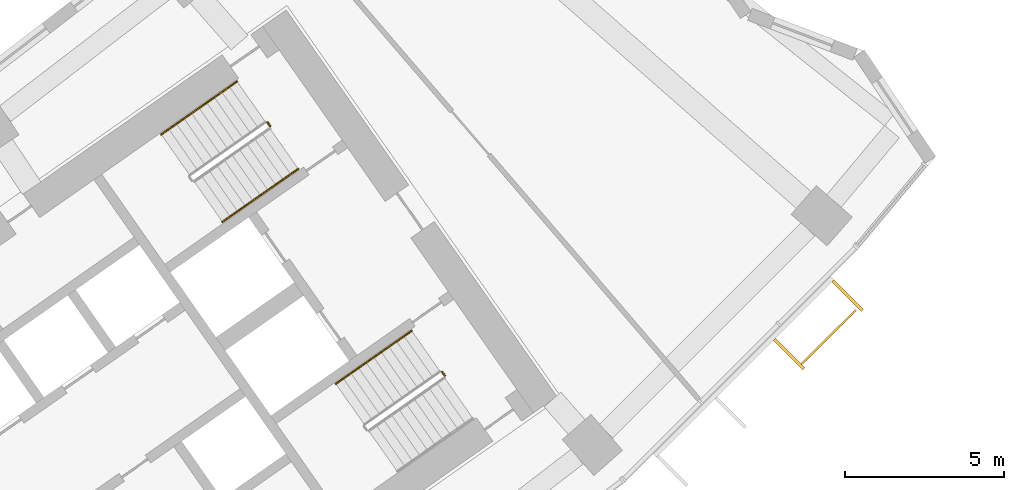
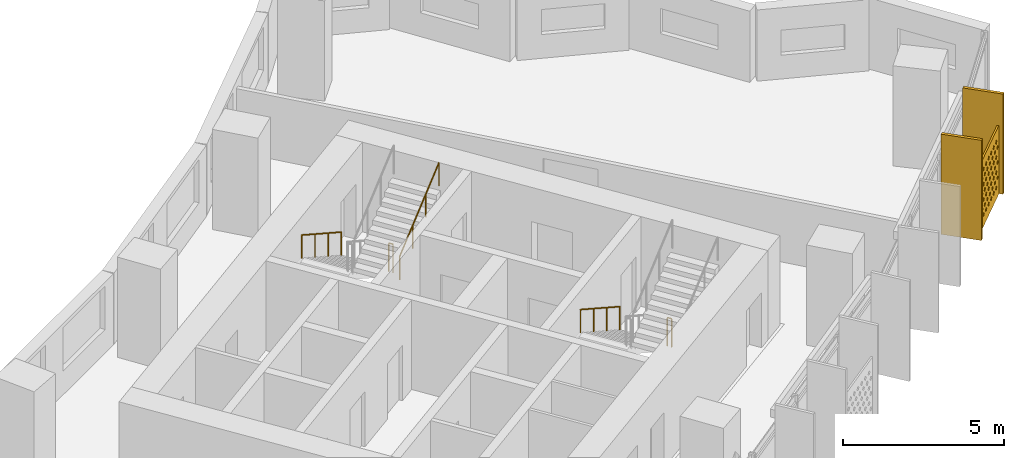
# One storey, part 28 of 28: 5 railings, 3 shading devices.
"""IFC4 building model written with IfcOpenShell, lengths in metres."""

from ifc_helpers import new_model, si_unit, direction, frame, origin, origin_2d, place, context, subcontext, project, spatial, polyline, rectangle, circle, outline, extrude, material, material_profile, profile_set, type_object, element, save


model = new_model("IFC4")

# Units and contexts
model_context = context("Model", 3, precision=1e-05, world=origin(), true_north=direction((0.0, 1.0)))
body_context = subcontext(model_context, "Body", "Model", "MODEL_VIEW")
ifc_project = project(units=[si_unit("LENGTHUNIT", "METRE"), si_unit("AREAUNIT", "SQUARE_METRE"), si_unit("VOLUMEUNIT", "CUBIC_METRE"), si_unit("PLANEANGLEUNIT", "RADIAN"), si_unit("MASSUNIT", "GRAM", prefix="KILO")], contexts=[model_context])

# Site, building, storey
site_placement = place(None, origin())
site = spatial("IfcSite", under=ifc_project, at=site_placement, CompositionType="ELEMENT")
building_placement = place(site_placement, origin())
building = spatial("IfcBuilding", under=site, at=building_placement, Name="Qamariyya Broadcast Tower", CompositionType="ELEMENT")
storey_placement = place(building_placement, frame((0.0, 0.0, 140.5)))
storey = spatial("IfcBuildingStorey", under=building, at=storey_placement, Name="L32", CompositionType="ELEMENT", Elevation=140.5)

# Shading device
ifc_material_1 = material(Name="Perforated glazed terracotta", Category="masonry")
ifc_material_profile_1 = material_profile(ifc_material_1, outline(polyline([(-1.199951171875, -1.300048828125), (1.199951171875, -1.300048828125), (1.199951171875, 1.300048828125), (-1.199951171875, 1.300048828125), (-1.199951171875, -1.300048828125)]), holes=[polyline([(-0.81494140625, -0.86669921875), (-0.89990234375, -0.78173828125), (-0.985107421875, -0.86669921875), (-0.89990234375, -0.95166015625), (-0.81494140625, -0.86669921875)]), polyline([(-0.514892578125, -0.86669921875), (-0.60009765625, -0.78173828125), (-0.68505859375, -0.86669921875), (-0.60009765625, -0.95166015625), (-0.514892578125, -0.86669921875)]), polyline([(-0.215087890625, -0.86669921875), (-0.300048828125, -0.78173828125), (-0.385009765625, -0.86669921875), (-0.300048828125, -0.95166015625), (-0.215087890625, -0.86669921875)]), polyline([(0.0849609375, -0.86669921875), (0.0, -0.78173828125), (-0.0849609375, -0.86669921875), (0.0, -0.95166015625), (0.0849609375, -0.86669921875)]), polyline([(0.385009765625, -0.86669921875), (0.300048828125, -0.78173828125), (0.215087890625, -0.86669921875), (0.300048828125, -0.95166015625), (0.385009765625, -0.86669921875)]), polyline([(0.68505859375, -0.86669921875), (0.60009765625, -0.78173828125), (0.514892578125, -0.86669921875), (0.60009765625, -0.95166015625), (0.68505859375, -0.86669921875)]), polyline([(0.985107421875, -0.86669921875), (0.89990234375, -0.78173828125), (0.81494140625, -0.86669921875), (0.89990234375, -0.95166015625), (0.985107421875, -0.86669921875)]), polyline([(-0.965087890625, -0.577880859375), (-1.050048828125, -0.49267578125), (-1.135009765625, -0.577880859375), (-1.050048828125, -0.662841796875), (-0.965087890625, -0.577880859375)]), polyline([(-0.6650390625, -0.577880859375), (-0.75, -0.49267578125), (-0.8349609375, -0.577880859375), (-0.75, -0.662841796875), (-0.6650390625, -0.577880859375)]), polyline([(-0.364990234375, -0.577880859375), (-0.449951171875, -0.49267578125), (-0.534912109375, -0.577880859375), (-0.449951171875, -0.662841796875), (-0.364990234375, -0.577880859375)]), polyline([(-0.06494140625, -0.577880859375), (-0.14990234375, -0.49267578125), (-0.235107421875, -0.577880859375), (-0.14990234375, -0.662841796875), (-0.06494140625, -0.577880859375)]), polyline([(0.235107421875, -0.577880859375), (0.14990234375, -0.49267578125), (0.06494140625, -0.577880859375), (0.14990234375, -0.662841796875), (0.235107421875, -0.577880859375)]), polyline([(0.534912109375, -0.577880859375), (0.449951171875, -0.49267578125), (0.364990234375, -0.577880859375), (0.449951171875, -0.662841796875), (0.534912109375, -0.577880859375)]), polyline([(0.8349609375, -0.577880859375), (0.75, -0.49267578125), (0.6650390625, -0.577880859375), (0.75, -0.662841796875), (0.8349609375, -0.577880859375)]), polyline([(1.135009765625, -0.577880859375), (1.050048828125, -0.49267578125), (0.965087890625, -0.577880859375), (1.050048828125, -0.662841796875), (1.135009765625, -0.577880859375)]), polyline([(-0.81494140625, -0.288818359375), (-0.89990234375, -0.203857421875), (-0.985107421875, -0.288818359375), (-0.89990234375, -0.373779296875), (-0.81494140625, -0.288818359375)]), polyline([(-0.514892578125, -0.288818359375), (-0.60009765625, -0.203857421875), (-0.68505859375, -0.288818359375), (-0.60009765625, -0.373779296875), (-0.514892578125, -0.288818359375)]), polyline([(-0.215087890625, -0.288818359375), (-0.300048828125, -0.203857421875), (-0.385009765625, -0.288818359375), (-0.300048828125, -0.373779296875), (-0.215087890625, -0.288818359375)]), polyline([(0.0849609375, -0.288818359375), (0.0, -0.203857421875), (-0.0849609375, -0.288818359375), (0.0, -0.373779296875), (0.0849609375, -0.288818359375)]), polyline([(0.385009765625, -0.288818359375), (0.300048828125, -0.203857421875), (0.215087890625, -0.288818359375), (0.300048828125, -0.373779296875), (0.385009765625, -0.288818359375)]), polyline([(0.68505859375, -0.288818359375), (0.60009765625, -0.203857421875), (0.514892578125, -0.288818359375), (0.60009765625, -0.373779296875), (0.68505859375, -0.288818359375)]), polyline([(0.985107421875, -0.288818359375), (0.89990234375, -0.203857421875), (0.81494140625, -0.288818359375), (0.89990234375, -0.373779296875), (0.985107421875, -0.288818359375)]), polyline([(-0.965087890625, 0.0), (-1.050048828125, 0.0849609375), (-1.135009765625, 0.0), (-1.050048828125, -0.0849609375), (-0.965087890625, 0.0)]), polyline([(-0.6650390625, 0.0), (-0.75, 0.0849609375), (-0.8349609375, 0.0), (-0.75, -0.0849609375), (-0.6650390625, 0.0)]), polyline([(-0.364990234375, 0.0), (-0.449951171875, 0.0849609375), (-0.534912109375, 0.0), (-0.449951171875, -0.0849609375), (-0.364990234375, 0.0)]), polyline([(-0.06494140625, 0.0), (-0.14990234375, 0.0849609375), (-0.235107421875, 0.0), (-0.14990234375, -0.0849609375), (-0.06494140625, 0.0)]), polyline([(0.235107421875, 0.0), (0.14990234375, 0.0849609375), (0.06494140625, 0.0), (0.14990234375, -0.0849609375), (0.235107421875, 0.0)]), polyline([(0.534912109375, 0.0), (0.449951171875, 0.0849609375), (0.364990234375, 0.0), (0.449951171875, -0.0849609375), (0.534912109375, 0.0)]), polyline([(0.8349609375, 0.0), (0.75, 0.0849609375), (0.6650390625, 0.0), (0.75, -0.0849609375), (0.8349609375, 0.0)]), polyline([(1.135009765625, 0.0), (1.050048828125, 0.0849609375), (0.965087890625, 0.0), (1.050048828125, -0.0849609375), (1.135009765625, 0.0)]), polyline([(-0.81494140625, 0.288818359375), (-0.89990234375, 0.373779296875), (-0.985107421875, 0.288818359375), (-0.89990234375, 0.203857421875), (-0.81494140625, 0.288818359375)]), polyline([(-0.514892578125, 0.288818359375), (-0.60009765625, 0.373779296875), (-0.68505859375, 0.288818359375), (-0.60009765625, 0.203857421875), (-0.514892578125, 0.288818359375)]), polyline([(-0.215087890625, 0.288818359375), (-0.300048828125, 0.373779296875), (-0.385009765625, 0.288818359375), (-0.300048828125, 0.203857421875), (-0.215087890625, 0.288818359375)]), polyline([(0.0849609375, 0.288818359375), (0.0, 0.373779296875), (-0.0849609375, 0.288818359375), (0.0, 0.203857421875), (0.0849609375, 0.288818359375)]), polyline([(0.385009765625, 0.288818359375), (0.300048828125, 0.373779296875), (0.215087890625, 0.288818359375), (0.300048828125, 0.203857421875), (0.385009765625, 0.288818359375)]), polyline([(0.68505859375, 0.288818359375), (0.60009765625, 0.373779296875), (0.514892578125, 0.288818359375), (0.60009765625, 0.203857421875), (0.68505859375, 0.288818359375)]), polyline([(0.985107421875, 0.288818359375), (0.89990234375, 0.373779296875), (0.81494140625, 0.288818359375), (0.89990234375, 0.203857421875), (0.985107421875, 0.288818359375)]), polyline([(-0.965087890625, 0.577880859375), (-1.050048828125, 0.662841796875), (-1.135009765625, 0.577880859375), (-1.050048828125, 0.49267578125), (-0.965087890625, 0.577880859375)]), polyline([(-0.6650390625, 0.577880859375), (-0.75, 0.662841796875), (-0.8349609375, 0.577880859375), (-0.75, 0.49267578125), (-0.6650390625, 0.577880859375)]), polyline([(-0.364990234375, 0.577880859375), (-0.449951171875, 0.662841796875), (-0.534912109375, 0.577880859375), (-0.449951171875, 0.49267578125), (-0.364990234375, 0.577880859375)]), polyline([(-0.06494140625, 0.577880859375), (-0.14990234375, 0.662841796875), (-0.235107421875, 0.577880859375), (-0.14990234375, 0.49267578125), (-0.06494140625, 0.577880859375)]), polyline([(0.235107421875, 0.577880859375), (0.14990234375, 0.662841796875), (0.06494140625, 0.577880859375), (0.14990234375, 0.49267578125), (0.235107421875, 0.577880859375)]), polyline([(0.534912109375, 0.577880859375), (0.449951171875, 0.662841796875), (0.364990234375, 0.577880859375), (0.449951171875, 0.49267578125), (0.534912109375, 0.577880859375)]), polyline([(0.8349609375, 0.577880859375), (0.75, 0.662841796875), (0.6650390625, 0.577880859375), (0.75, 0.49267578125), (0.8349609375, 0.577880859375)]), polyline([(1.135009765625, 0.577880859375), (1.050048828125, 0.662841796875), (0.965087890625, 0.577880859375), (1.050048828125, 0.49267578125), (1.135009765625, 0.577880859375)]), polyline([(-0.81494140625, 0.86669921875), (-0.89990234375, 0.95166015625), (-0.985107421875, 0.86669921875), (-0.89990234375, 0.78173828125), (-0.81494140625, 0.86669921875)]), polyline([(-0.514892578125, 0.86669921875), (-0.60009765625, 0.95166015625), (-0.68505859375, 0.86669921875), (-0.60009765625, 0.78173828125), (-0.514892578125, 0.86669921875)]), polyline([(-0.215087890625, 0.86669921875), (-0.300048828125, 0.95166015625), (-0.385009765625, 0.86669921875), (-0.300048828125, 0.78173828125), (-0.215087890625, 0.86669921875)]), polyline([(0.0849609375, 0.86669921875), (0.0, 0.95166015625), (-0.0849609375, 0.86669921875), (0.0, 0.78173828125), (0.0849609375, 0.86669921875)]), polyline([(0.385009765625, 0.86669921875), (0.300048828125, 0.95166015625), (0.215087890625, 0.86669921875), (0.300048828125, 0.78173828125), (0.385009765625, 0.86669921875)]), polyline([(0.68505859375, 0.86669921875), (0.60009765625, 0.95166015625), (0.514892578125, 0.86669921875), (0.60009765625, 0.78173828125), (0.68505859375, 0.86669921875)]), polyline([(0.985107421875, 0.86669921875), (0.89990234375, 0.95166015625), (0.81494140625, 0.86669921875), (0.89990234375, 0.78173828125), (0.985107421875, 0.86669921875)])]))
ifc_profile_set_1 = profile_set([ifc_material_profile_1], Name="Perforated glazed terracotta")
shading_device_type_1 = type_object("IfcShadingDeviceType", Name="Perforated terracotta screen 2400 x 2600", PredefinedType="USERDEFINED", material=ifc_profile_set_1)
shading_device_placement = place(storey_placement, frame((58.65234375, -55.05078125, 1.35009765625), z_axis=(0.705066081692, -0.709141608176, 0.0), x_axis=(0.709141608176, 0.705066081692, 0.0)))
element("IfcShadingDevice", 1, at=shading_device_placement, inside=storey, type_object=shading_device_type_1, Name="e-scr-L32-15-2", ObjectType="SCREEN", PredefinedType="USERDEFINED", context=body_context, shape_type="SweptSolid", body=[
    extrude(outline(polyline([(-1.199951171875, -1.300048828125), (1.199951171875, -1.300048828125), (1.199951171875, 1.300048828125), (-1.199951171875, 1.300048828125), (-1.199951171875, -1.300048828125)]), holes=[polyline([(-0.81494140625, -0.86669921875), (-0.89990234375, -0.78173828125), (-0.985107421875, -0.86669921875), (-0.89990234375, -0.95166015625), (-0.81494140625, -0.86669921875)]), polyline([(-0.514892578125, -0.86669921875), (-0.60009765625, -0.78173828125), (-0.68505859375, -0.86669921875), (-0.60009765625, -0.95166015625), (-0.514892578125, -0.86669921875)]), polyline([(-0.215087890625, -0.86669921875), (-0.300048828125, -0.78173828125), (-0.385009765625, -0.86669921875), (-0.300048828125, -0.95166015625), (-0.215087890625, -0.86669921875)]), polyline([(0.0849609375, -0.86669921875), (0.0, -0.78173828125), (-0.0849609375, -0.86669921875), (0.0, -0.95166015625), (0.0849609375, -0.86669921875)]), polyline([(0.385009765625, -0.86669921875), (0.300048828125, -0.78173828125), (0.215087890625, -0.86669921875), (0.300048828125, -0.95166015625), (0.385009765625, -0.86669921875)]), polyline([(0.68505859375, -0.86669921875), (0.60009765625, -0.78173828125), (0.514892578125, -0.86669921875), (0.60009765625, -0.95166015625), (0.68505859375, -0.86669921875)]), polyline([(0.985107421875, -0.86669921875), (0.89990234375, -0.78173828125), (0.81494140625, -0.86669921875), (0.89990234375, -0.95166015625), (0.985107421875, -0.86669921875)]), polyline([(-0.965087890625, -0.577880859375), (-1.050048828125, -0.49267578125), (-1.135009765625, -0.577880859375), (-1.050048828125, -0.662841796875), (-0.965087890625, -0.577880859375)]), polyline([(-0.6650390625, -0.577880859375), (-0.75, -0.49267578125), (-0.8349609375, -0.577880859375), (-0.75, -0.662841796875), (-0.6650390625, -0.577880859375)]), polyline([(-0.364990234375, -0.577880859375), (-0.449951171875, -0.49267578125), (-0.534912109375, -0.577880859375), (-0.449951171875, -0.662841796875), (-0.364990234375, -0.577880859375)]), polyline([(-0.06494140625, -0.577880859375), (-0.14990234375, -0.49267578125), (-0.235107421875, -0.577880859375), (-0.14990234375, -0.662841796875), (-0.06494140625, -0.577880859375)]), polyline([(0.235107421875, -0.577880859375), (0.14990234375, -0.49267578125), (0.06494140625, -0.577880859375), (0.14990234375, -0.662841796875), (0.235107421875, -0.577880859375)]), polyline([(0.534912109375, -0.577880859375), (0.449951171875, -0.49267578125), (0.364990234375, -0.577880859375), (0.449951171875, -0.662841796875), (0.534912109375, -0.577880859375)]), polyline([(0.8349609375, -0.577880859375), (0.75, -0.49267578125), (0.6650390625, -0.577880859375), (0.75, -0.662841796875), (0.8349609375, -0.577880859375)]), polyline([(1.135009765625, -0.577880859375), (1.050048828125, -0.49267578125), (0.965087890625, -0.577880859375), (1.050048828125, -0.662841796875), (1.135009765625, -0.577880859375)]), polyline([(-0.81494140625, -0.288818359375), (-0.89990234375, -0.203857421875), (-0.985107421875, -0.288818359375), (-0.89990234375, -0.373779296875), (-0.81494140625, -0.288818359375)]), polyline([(-0.514892578125, -0.288818359375), (-0.60009765625, -0.203857421875), (-0.68505859375, -0.288818359375), (-0.60009765625, -0.373779296875), (-0.514892578125, -0.288818359375)]), polyline([(-0.215087890625, -0.288818359375), (-0.300048828125, -0.203857421875), (-0.385009765625, -0.288818359375), (-0.300048828125, -0.373779296875), (-0.215087890625, -0.288818359375)]), polyline([(0.0849609375, -0.288818359375), (0.0, -0.203857421875), (-0.0849609375, -0.288818359375), (0.0, -0.373779296875), (0.0849609375, -0.288818359375)]), polyline([(0.385009765625, -0.288818359375), (0.300048828125, -0.203857421875), (0.215087890625, -0.288818359375), (0.300048828125, -0.373779296875), (0.385009765625, -0.288818359375)]), polyline([(0.68505859375, -0.288818359375), (0.60009765625, -0.203857421875), (0.514892578125, -0.288818359375), (0.60009765625, -0.373779296875), (0.68505859375, -0.288818359375)]), polyline([(0.985107421875, -0.288818359375), (0.89990234375, -0.203857421875), (0.81494140625, -0.288818359375), (0.89990234375, -0.373779296875), (0.985107421875, -0.288818359375)]), polyline([(-0.965087890625, 0.0), (-1.050048828125, 0.0849609375), (-1.135009765625, 0.0), (-1.050048828125, -0.0849609375), (-0.965087890625, 0.0)]), polyline([(-0.6650390625, 0.0), (-0.75, 0.0849609375), (-0.8349609375, 0.0), (-0.75, -0.0849609375), (-0.6650390625, 0.0)]), polyline([(-0.364990234375, 0.0), (-0.449951171875, 0.0849609375), (-0.534912109375, 0.0), (-0.449951171875, -0.0849609375), (-0.364990234375, 0.0)]), polyline([(-0.06494140625, 0.0), (-0.14990234375, 0.0849609375), (-0.235107421875, 0.0), (-0.14990234375, -0.0849609375), (-0.06494140625, 0.0)]), polyline([(0.235107421875, 0.0), (0.14990234375, 0.0849609375), (0.06494140625, 0.0), (0.14990234375, -0.0849609375), (0.235107421875, 0.0)]), polyline([(0.534912109375, 0.0), (0.449951171875, 0.0849609375), (0.364990234375, 0.0), (0.449951171875, -0.0849609375), (0.534912109375, 0.0)]), polyline([(0.8349609375, 0.0), (0.75, 0.0849609375), (0.6650390625, 0.0), (0.75, -0.0849609375), (0.8349609375, 0.0)]), polyline([(1.135009765625, 0.0), (1.050048828125, 0.0849609375), (0.965087890625, 0.0), (1.050048828125, -0.0849609375), (1.135009765625, 0.0)]), polyline([(-0.81494140625, 0.288818359375), (-0.89990234375, 0.373779296875), (-0.985107421875, 0.288818359375), (-0.89990234375, 0.203857421875), (-0.81494140625, 0.288818359375)]), polyline([(-0.514892578125, 0.288818359375), (-0.60009765625, 0.373779296875), (-0.68505859375, 0.288818359375), (-0.60009765625, 0.203857421875), (-0.514892578125, 0.288818359375)]), polyline([(-0.215087890625, 0.288818359375), (-0.300048828125, 0.373779296875), (-0.385009765625, 0.288818359375), (-0.300048828125, 0.203857421875), (-0.215087890625, 0.288818359375)]), polyline([(0.0849609375, 0.288818359375), (0.0, 0.373779296875), (-0.0849609375, 0.288818359375), (0.0, 0.203857421875), (0.0849609375, 0.288818359375)]), polyline([(0.385009765625, 0.288818359375), (0.300048828125, 0.373779296875), (0.215087890625, 0.288818359375), (0.300048828125, 0.203857421875), (0.385009765625, 0.288818359375)]), polyline([(0.68505859375, 0.288818359375), (0.60009765625, 0.373779296875), (0.514892578125, 0.288818359375), (0.60009765625, 0.203857421875), (0.68505859375, 0.288818359375)]), polyline([(0.985107421875, 0.288818359375), (0.89990234375, 0.373779296875), (0.81494140625, 0.288818359375), (0.89990234375, 0.203857421875), (0.985107421875, 0.288818359375)]), polyline([(-0.965087890625, 0.577880859375), (-1.050048828125, 0.662841796875), (-1.135009765625, 0.577880859375), (-1.050048828125, 0.49267578125), (-0.965087890625, 0.577880859375)]), polyline([(-0.6650390625, 0.577880859375), (-0.75, 0.662841796875), (-0.8349609375, 0.577880859375), (-0.75, 0.49267578125), (-0.6650390625, 0.577880859375)]), polyline([(-0.364990234375, 0.577880859375), (-0.449951171875, 0.662841796875), (-0.534912109375, 0.577880859375), (-0.449951171875, 0.49267578125), (-0.364990234375, 0.577880859375)]), polyline([(-0.06494140625, 0.577880859375), (-0.14990234375, 0.662841796875), (-0.235107421875, 0.577880859375), (-0.14990234375, 0.49267578125), (-0.06494140625, 0.577880859375)]), polyline([(0.235107421875, 0.577880859375), (0.14990234375, 0.662841796875), (0.06494140625, 0.577880859375), (0.14990234375, 0.49267578125), (0.235107421875, 0.577880859375)]), polyline([(0.534912109375, 0.577880859375), (0.449951171875, 0.662841796875), (0.364990234375, 0.577880859375), (0.449951171875, 0.49267578125), (0.534912109375, 0.577880859375)]), polyline([(0.8349609375, 0.577880859375), (0.75, 0.662841796875), (0.6650390625, 0.577880859375), (0.75, 0.49267578125), (0.8349609375, 0.577880859375)]), polyline([(1.135009765625, 0.577880859375), (1.050048828125, 0.662841796875), (0.965087890625, 0.577880859375), (1.050048828125, 0.49267578125), (1.135009765625, 0.577880859375)]), polyline([(-0.81494140625, 0.86669921875), (-0.89990234375, 0.95166015625), (-0.985107421875, 0.86669921875), (-0.89990234375, 0.78173828125), (-0.81494140625, 0.86669921875)]), polyline([(-0.514892578125, 0.86669921875), (-0.60009765625, 0.95166015625), (-0.68505859375, 0.86669921875), (-0.60009765625, 0.78173828125), (-0.514892578125, 0.86669921875)]), polyline([(-0.215087890625, 0.86669921875), (-0.300048828125, 0.95166015625), (-0.385009765625, 0.86669921875), (-0.300048828125, 0.78173828125), (-0.215087890625, 0.86669921875)]), polyline([(0.0849609375, 0.86669921875), (0.0, 0.95166015625), (-0.0849609375, 0.86669921875), (0.0, 0.78173828125), (0.0849609375, 0.86669921875)]), polyline([(0.385009765625, 0.86669921875), (0.300048828125, 0.95166015625), (0.215087890625, 0.86669921875), (0.300048828125, 0.78173828125), (0.385009765625, 0.86669921875)]), polyline([(0.68505859375, 0.86669921875), (0.60009765625, 0.95166015625), (0.514892578125, 0.86669921875), (0.60009765625, 0.78173828125), (0.68505859375, 0.86669921875)]), polyline([(0.985107421875, 0.86669921875), (0.89990234375, 0.95166015625), (0.81494140625, 0.86669921875), (0.89990234375, 0.78173828125), (0.985107421875, 0.86669921875)])]), origin(), (0.0, 0.0, 1.0), 0.059814453125),
])

# Railings
ifc_material_2 = material(Name="Painted steel", Category="steel")
railing_type_1 = type_object("IfcRailingType", Name="Stair guard", PredefinedType="GUARDRAIL", material=ifc_material_2)
railing_1_placement = place(storey_placement, frame((41.072998046875, -48.332275390625, 0.0)))
element("IfcRailing", 2, at=railing_1_placement, inside=storey, type_object=railing_type_1, Name="L32 ST-E2 stair guard 3", PredefinedType="GUARDRAIL", context=body_context, shape_type="SweptSolid", body=[
    extrude(circle(Radius=0.02392578125, at=origin_2d()), frame((0.0, 0.0, 1.076171875), z_axis=(0.572588637393, -0.819842821722, 0.0), x_axis=(0.819842821722, 0.572588637393, 0.0)), (0.0, 0.0, 1.0), 0.150146484375),
    extrude(circle(Radius=0.02099609375, at=origin_2d()), origin(), (0.0, 0.0, 1.0), 1.052001953125),
    extrude(circle(Radius=0.02099609375, at=origin_2d()), frame((0.0859375, -0.123046875, 0.0)), (0.0, 0.0, 1.0), 1.052001953125),
])
railing_2_placement = place(storey_placement, frame((46.550537109375, -56.1552734375, 0.0)))
element("IfcRailing", 3, at=railing_2_placement, inside=storey, type_object=railing_type_1, Name="L32 ST-E1 stair guard 3", PredefinedType="GUARDRAIL", context=body_context, shape_type="SweptSolid", body=[
    extrude(circle(Radius=0.02392578125, at=origin_2d()), frame((0.0, 0.0, 1.076171875), z_axis=(0.574444878118, -0.818543268254, 0.0), x_axis=(0.818543268254, 0.574444878118, 0.0)), (0.0, 0.0, 1.0), 0.150146484375),
    extrude(circle(Radius=0.02099609375, at=origin_2d()), origin(), (0.0, 0.0, 1.0), 1.052001953125),
    extrude(circle(Radius=0.02099609375, at=origin_2d()), frame((0.086181640625, -0.122802734375, 0.0)), (0.0, 0.0, 1.0), 1.052001953125),
])
ifc_material_3 = material(Name="Stainless steel", Category="steel")
railing_type_2 = type_object("IfcRailingType", Name="Stair handrail", PredefinedType="HANDRAIL", material=ifc_material_3)
railing_3_placement = place(storey_placement, frame((40.1142578125, -47.05029296875, 0.172607421875)))
element("IfcRailing", 4, at=railing_3_placement, inside=storey, type_object=railing_type_2, Name="L32 ST-E2 stair handrail 1", PredefinedType="HANDRAIL", context=body_context, shape_type="SweptSolid", body=[
    extrude(circle(Radius=0.02392578125, at=origin_2d()), frame((0.0, 0.0, 0.8759765625), z_axis=(-0.703745009021, -0.492838488332, 0.511715923826), x_axis=(0.573631830683, -0.819113253969, 0.0)), (0.0, 0.0, 1.0), 3.37548828125),
    extrude(circle(Radius=0.02099609375, at=origin_2d()), origin(), (0.0, 0.0, 1.0), 0.851806640625),
    extrude(circle(Radius=0.02099609375, at=origin_2d()), frame((-0.791748046875, -0.554443359375, 0.57568359375)), (0.0, 0.0, 1.0), 0.851806640625),
    extrude(circle(Radius=0.02099609375, at=origin_2d()), frame((-1.583740234375, -1.109130859375, 1.151611328125)), (0.0, 0.0, 1.0), 0.851806640625),
    extrude(circle(Radius=0.02099609375, at=origin_2d()), frame((-2.37548828125, -1.66357421875, 1.727294921875)), (0.0, 0.0, 1.0), 0.851806640625),
])
railing_4_placement = place(storey_placement, frame((39.66015625, -51.4580078125, 2.07275390625)))
element("IfcRailing", 5, at=railing_4_placement, inside=storey, type_object=railing_type_2, Name="L32 ST-E2 stair handrail 2", PredefinedType="HANDRAIL", context=body_context, shape_type="SweptSolid", body=[
    extrude(circle(Radius=0.02392578125, at=origin_2d()), frame((0.0, 0.0, 0.8759765625), z_axis=(0.703745009021, 0.492838488332, 0.511715923826), x_axis=(-0.573631830683, 0.819113253969, 0.0)), (0.0, 0.0, 1.0), 3.37548828125),
    extrude(circle(Radius=0.02099609375, at=origin_2d()), origin(), (0.0, 0.0, 1.0), 0.851806640625),
    extrude(circle(Radius=0.02099609375, at=origin_2d()), frame((0.791748046875, 0.554443359375, 0.57568359375)), (0.0, 0.0, 1.0), 0.851806640625),
    extrude(circle(Radius=0.02099609375, at=origin_2d()), frame((1.583740234375, 1.109130859375, 1.151611328125)), (0.0, 0.0, 1.0), 0.851806640625),
    extrude(circle(Radius=0.02099609375, at=origin_2d()), frame((2.37548828125, 1.66357421875, 1.727294921875)), (0.0, 0.0, 1.0), 0.851806640625),
])
railing_5_placement = place(storey_placement, frame((45.591796875, -54.873291015625, 0.172607421875)))
element("IfcRailing", 6, at=railing_5_placement, inside=storey, type_object=railing_type_2, Name="L32 ST-E1 stair handrail 1", PredefinedType="HANDRAIL", context=body_context, shape_type="SweptSolid", body=[
    extrude(circle(Radius=0.02392578125, at=origin_2d()), frame((0.0, 0.0, 0.8759765625), z_axis=(-0.703770094002, -0.492783725636, 0.511734163933), x_axis=(0.573575343427, -0.819152809562, 0.0)), (0.0, 0.0, 1.0), 3.37548828125),
    extrude(circle(Radius=0.02099609375, at=origin_2d()), origin(), (0.0, 0.0, 1.0), 0.851806640625),
    extrude(circle(Radius=0.02099609375, at=origin_2d()), frame((-0.791748046875, -0.554443359375, 0.57568359375)), (0.0, 0.0, 1.0), 0.851806640625),
    extrude(circle(Radius=0.02099609375, at=origin_2d()), frame((-1.583740234375, -1.10888671875, 1.151611328125)), (0.0, 0.0, 1.0), 0.851806640625),
    extrude(circle(Radius=0.02099609375, at=origin_2d()), frame((-2.37548828125, -1.663330078125, 1.727294921875)), (0.0, 0.0, 1.0), 0.851806640625),
])

# Shading devices
ifc_material_4 = material(Name="Glazed terracotta", Category="masonry")
ifc_material_profile_2 = material_profile(ifc_material_4, rectangle(XDim=1.300048828125, YDim=0.10009765625, at=origin_2d()))
ifc_profile_set_2 = profile_set([ifc_material_profile_2], Name="Glazed terracotta")
shading_device_type_2 = type_object("IfcShadingDeviceType", Name="Terracotta fin 100 x 1300", PredefinedType="USERDEFINED", material=ifc_profile_set_2)
for number, where, z_axis, x_axis, name in (
    (7, (57.43603515625, -55.602294921875, 0.0), (0.0, 0.0, 1.0), (0.707106781187, -0.707106781187, 0.0), "e-fin-L32-15-2"),
    (8, (59.269775390625, -53.7685546875, 0.0), (0.0, 0.0, 1.0), (0.707106781187, -0.707106781187, 0.0), "e-fin-L32-15-3"),
):
    element("IfcShadingDevice", number, at=place(storey_placement, frame(where, z_axis=z_axis, x_axis=x_axis)), inside=storey, type_object=shading_device_type_2, Name=name, ObjectType="FIN", PredefinedType="USERDEFINED", context=body_context, shape_type="SweptSolid", body=[
        extrude(rectangle(XDim=1.300048828125, YDim=0.10009765625, at=origin_2d()), origin(), (0.0, 0.0, 1.0), 3.800048828125),
    ])

save(model, "model.ifc")
